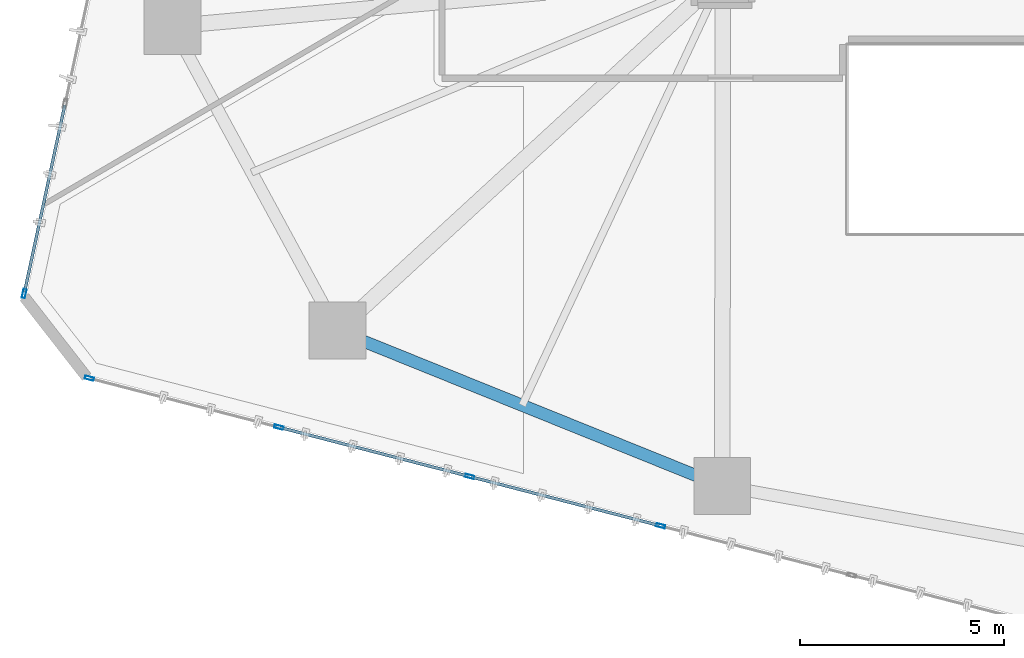
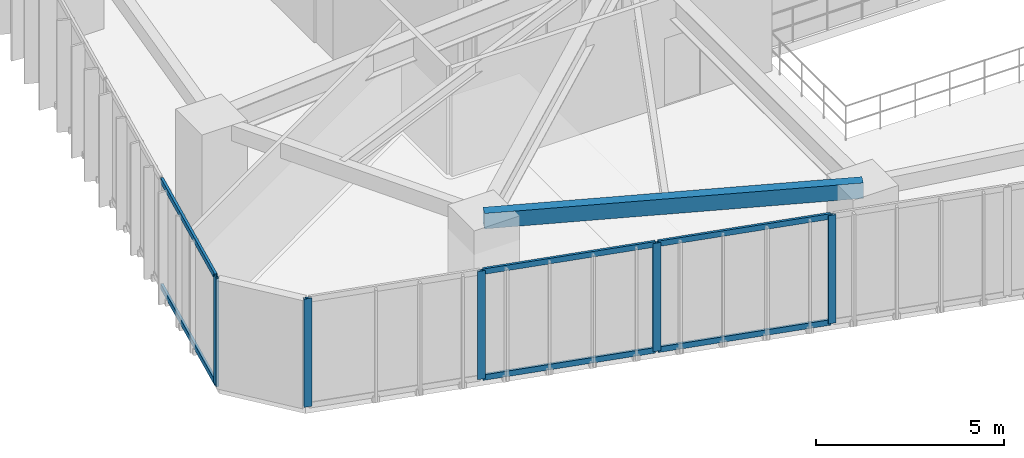
# One storey, part 2 of 23: 11 members, 1 beam, 2 elements without a shape of their own.
"""IFC4 building model written with IfcOpenShell, lengths in metres."""

from ifc_helpers import new_model, si_unit, direction, frame, origin, origin_2d, place, context, subcontext, project, spatial, hollow_rectangle, extrude, source, transform, mapped, material, layer, layer_set, material_profile, profile_set, type_object, type_shapes, element, aggregate, save


model = new_model("IFC4")

# Units and contexts
model_context = context("Model", 3, precision=1e-05, world=origin(), true_north=direction((0.0, 1.0)))
body_context = subcontext(model_context, "Body", "Model", "MODEL_VIEW")
ifc_project = project(units=[si_unit("LENGTHUNIT", "METRE"), si_unit("AREAUNIT", "SQUARE_METRE"), si_unit("VOLUMEUNIT", "CUBIC_METRE"), si_unit("PLANEANGLEUNIT", "RADIAN"), si_unit("MASSUNIT", "GRAM", prefix="KILO")], contexts=[model_context])

# Site, building, storey
site_placement = place(None, origin())
site = spatial("IfcSite", under=ifc_project, at=site_placement, CompositionType="ELEMENT")
building_placement = place(site_placement, origin())
building = spatial("IfcBuilding", under=site, at=building_placement, Name="Talar Marvaseh", CompositionType="ELEMENT")
storey_placement = place(building_placement, frame((0.0, 0.0, 46.800048828125)))
storey = spatial("IfcBuildingStorey", under=building, at=storey_placement, Name="L11", CompositionType="ELEMENT", Elevation=46.800048828125)

# Beam
ifc_material_1 = material(Name="Steel S355", Category="steel")
ifc_material_profile_1 = material_profile(ifc_material_1, hollow_rectangle(XDim=0.300048828125, YDim=0.5, WallThickness=0.02001953125, at=origin_2d()), Name="RHS500x300x20")
ifc_profile_set_1 = profile_set([ifc_material_profile_1], Name="Steel S355")
beam_type = type_object("IfcBeamType", Name="Zone 1 Perimeter Spandrel Beam RHS500x300x20", PredefinedType="SPANDREL", material=ifc_profile_set_1)
beam_placement = place(storey_placement, frame((18.68310546875, 12.97900390625, 3.27001953125), z_axis=(-0.927239278118, 0.374469386084, 0.0), x_axis=(-0.374469386084, -0.927239278118, 0.0)))
element("IfcBeam", 1, at=beam_placement, inside=storey, type_object=beam_type, Name="L11 Zone 1 Perimeter Spandrel Beam RHS500x300x20", PredefinedType="SPANDREL", context=body_context, shape_type="SweptSolid", body=[
    extrude(hollow_rectangle(XDim=0.300048828125, YDim=0.5, WallThickness=0.02001953125, at=origin_2d()), origin(), (0.0, 0.0, 1.0), 10.19287109375),
])

# Curtain wall, member
ifc_material_2 = material(Name="Architectural Aluminium", Category="aluminium")
ifc_layer = layer(ifc_material_2, 0.219970703125)
ifc_layer_set = layer_set([ifc_layer], Name="Architectural Aluminium")
curtain_wall_type = type_object("IfcCurtainWallType", Name="Unitised Low-E Museum Curtain Wall Z1", PredefinedType="NOTDEFINED", material=ifc_layer_set)
curtain_wall_1_placement = place(storey_placement, origin())
curtain_wall_1 = element("IfcCurtainWall", 2, at=curtain_wall_1_placement, inside=storey, type_object=curtain_wall_type, Name="L11 Unitised Low-E Museum Curtain Wall Z1", PredefinedType="NOTDEFINED")
ifc_material_profile_2 = material_profile(ifc_material_2, hollow_rectangle(XDim=0.080078125, YDim=0.219970703125, WallThickness=0.0048828125, at=origin_2d()), Name="RHS220x80x5")
ifc_profile_set_2 = profile_set([ifc_material_profile_2], Name="Architectural Aluminium")
member_type_1 = type_object("IfcMemberType", Name="Unitised Curtain Wall Heavy Mullion RHS220x80x5", PredefinedType="MULLION", material=ifc_profile_set_2)
shared_shape_1 = source(origin(), body_context, "Body", "SweptSolid", [
    extrude(hollow_rectangle(XDim=0.080078125, YDim=0.219970703125, WallThickness=0.0048828125, at=origin_2d()), origin(), (0.0, 0.0, 1.0), 3.52001953125),
])
type_shapes(member_type_1, [shared_shape_1])
member_1_placement = place(storey_placement, frame((1.53564453125, 17.708740234375, 0.0), z_axis=(0.0, 0.0, 1.0), x_axis=(-0.977585873645, 0.210537074287, 0.0)))
member_1 = element("IfcMember", 3, at=member_1_placement, type_object=member_type_1, Name="CW-Z1 mullion 1", PredefinedType="MULLION", context=body_context, shape_type="MappedRepresentation", body=[
    mapped(shared_shape_1, transform((0.0, 0.0, 0.0), x_axis=(1.0, 0.0, 0.0), y_axis=(0.0, 1.0, 0.0), z_axis=(0.0, 0.0, 1.0), scale=1.0)),
])

# Curtain wall, members
curtain_wall_2_placement = place(storey_placement, origin())
curtain_wall_2 = element("IfcCurtainWall", 4, at=curtain_wall_2_placement, inside=storey, type_object=curtain_wall_type, Name="L11 Unitised Low-E Museum Curtain Wall Z1", PredefinedType="NOTDEFINED")
member_2_placement = place(storey_placement, frame((17.17138671875, 12.002197265625, 0.0), z_axis=(0.0, 0.0, 1.0), x_axis=(-0.250227795826, -0.968186991338, 0.0)))
member_2 = element("IfcMember", 5, at=member_2_placement, type_object=member_type_1, Name="CW-Z1 mullion 3", PredefinedType="MULLION", context=body_context, shape_type="MappedRepresentation", body=[
    mapped(shared_shape_1, transform((0.0, 0.0, 0.0), x_axis=(1.0, 0.0, 0.0), y_axis=(0.0, 1.0, 0.0), z_axis=(0.0, 0.0, 1.0), scale=1.0)),
])
member_3_placement = place(storey_placement, frame((12.47998046875, 13.214599609375, 0.0), z_axis=(0.0, 0.0, 1.0), x_axis=(-0.250227795826, -0.968186991338, 0.0)))
member_3 = element("IfcMember", 6, at=member_3_placement, type_object=member_type_1, Name="CW-Z1 mullion 4", PredefinedType="MULLION", context=body_context, shape_type="MappedRepresentation", body=[
    mapped(shared_shape_1, transform((0.0, 0.0, 0.0), x_axis=(1.0, 0.0, 0.0), y_axis=(0.0, 1.0, 0.0), z_axis=(0.0, 0.0, 1.0), scale=1.0)),
])
member_4_placement = place(storey_placement, frame((7.788818359375, 14.427001953125, 0.0), z_axis=(0.0, 0.0, 1.0), x_axis=(-0.250227795826, -0.968186991338, 0.0)))
member_4 = element("IfcMember", 7, at=member_4_placement, type_object=member_type_1, Name="CW-Z1 mullion 5", PredefinedType="MULLION", context=body_context, shape_type="MappedRepresentation", body=[
    mapped(shared_shape_1, transform((0.0, 0.0, 0.0), x_axis=(1.0, 0.0, 0.0), y_axis=(0.0, 1.0, 0.0), z_axis=(0.0, 0.0, 1.0), scale=1.0)),
])
member_5_placement = place(storey_placement, frame((3.136474609375, 15.62939453125, 0.0), z_axis=(0.0, 0.0, 1.0), x_axis=(-0.250227795826, -0.968186991338, 0.0)))
member_5 = element("IfcMember", 8, at=member_5_placement, type_object=member_type_1, Name="CW-Z1 mullion 6", PredefinedType="MULLION", context=body_context, shape_type="MappedRepresentation", body=[
    mapped(shared_shape_1, transform((0.0, 0.0, 0.0), x_axis=(1.0, 0.0, 0.0), y_axis=(0.0, 1.0, 0.0), z_axis=(0.0, 0.0, 1.0), scale=1.0)),
])

# Member
ifc_material_profile_3 = material_profile(ifc_material_2, hollow_rectangle(XDim=0.074951171875, YDim=0.179931640625, WallThickness=0.0048828125, at=origin_2d()), Name="RHS180x75x5")
ifc_profile_set_3 = profile_set([ifc_material_profile_3], Name="Architectural Aluminium")
member_type_2 = type_object("IfcMemberType", Name="Unitised Curtain Wall Transom RHS180x75x5", PredefinedType="USERDEFINED", material=ifc_profile_set_3)
shared_shape_2 = source(origin(), body_context, "Body", "SweptSolid", [
    extrude(hollow_rectangle(XDim=0.074951171875, YDim=0.179931640625, WallThickness=0.0048828125, at=origin_2d()), origin(), (0.0, 0.0, 1.0), 4.69677734375),
])
member_6_placement = place(storey_placement, frame((1.5439453125, 17.747802734375, 0.037353515625), z_axis=(0.210569067869, 0.977578982823, 0.0), x_axis=(-0.977578982823, 0.210569067869, 0.0)))
member_6 = element("IfcMember", 9, at=member_6_placement, type_object=member_type_2, Name="CW-Z1 transom 1.1", ObjectType="TRANSOM", PredefinedType="USERDEFINED", context=body_context, shape_type="MappedRepresentation", body=[
    mapped(shared_shape_2, transform((0.0, 0.0, 0.0), x_axis=(1.0, 0.0, 0.0), y_axis=(0.0, 1.0, 0.0), z_axis=(0.0, 0.0, 1.0), scale=1.0)),
])

member_7_placement = place(storey_placement, frame((1.5439453125, 17.747802734375, 3.482421875), z_axis=(0.210569067869, 0.977578982823, 0.0), x_axis=(-0.977578982823, 0.210569067869, 0.0)))
member_7 = element("IfcMember", 10, at=member_7_placement, type_object=member_type_2, Name="CW-Z1 transom 1.2", ObjectType="TRANSOM", PredefinedType="USERDEFINED", context=body_context, shape_type="MappedRepresentation", body=[
    mapped(shared_shape_2, transform((0.0, 0.0, 0.0), x_axis=(1.0, 0.0, 0.0), y_axis=(0.0, 1.0, 0.0), z_axis=(0.0, 0.0, 1.0), scale=1.0)),
])

aggregate(curtain_wall_1, [member_1, member_6, member_7])

shared_shape_3 = source(origin(), body_context, "Body", "SweptSolid", [
    extrude(hollow_rectangle(XDim=0.074951171875, YDim=0.179931640625, WallThickness=0.0048828125, at=origin_2d()), origin(), (0.0, 0.0, 1.0), 4.765380859375),
])
type_shapes(member_type_2, [shared_shape_2, shared_shape_3])
member_8_placement = place(storey_placement, frame((17.132568359375, 12.01220703125, 0.037353515625), z_axis=(-0.96818929398, 0.250218886221, 0.0), x_axis=(-0.250218886221, -0.96818929398, 0.0)))
member_8 = element("IfcMember", 11, at=member_8_placement, type_object=member_type_2, Name="CW-Z1 transom 3.1", ObjectType="TRANSOM", PredefinedType="USERDEFINED", context=body_context, shape_type="MappedRepresentation", body=[
    mapped(shared_shape_3, transform((0.0, 0.0, 0.0), x_axis=(1.0, 0.0, 0.0), y_axis=(0.0, 1.0, 0.0), z_axis=(0.0, 0.0, 1.0), scale=1.0)),
])

member_9_placement = place(storey_placement, frame((17.132568359375, 12.01220703125, 3.482421875), z_axis=(-0.96818929398, 0.250218886221, 0.0), x_axis=(-0.250218886221, -0.96818929398, 0.0)))
member_9 = element("IfcMember", 12, at=member_9_placement, type_object=member_type_2, Name="CW-Z1 transom 3.2", ObjectType="TRANSOM", PredefinedType="USERDEFINED", context=body_context, shape_type="MappedRepresentation", body=[
    mapped(shared_shape_3, transform((0.0, 0.0, 0.0), x_axis=(1.0, 0.0, 0.0), y_axis=(0.0, 1.0, 0.0), z_axis=(0.0, 0.0, 1.0), scale=1.0)),
])

member_10_placement = place(storey_placement, frame((12.44140625, 13.224609375, 0.037353515625), z_axis=(-0.96818929398, 0.250218886221, 0.0), x_axis=(-0.250218886221, -0.96818929398, 0.0)))
member_10 = element("IfcMember", 13, at=member_10_placement, type_object=member_type_2, Name="CW-Z1 transom 4.1", ObjectType="TRANSOM", PredefinedType="USERDEFINED", context=body_context, shape_type="MappedRepresentation", body=[
    mapped(shared_shape_3, transform((0.0, 0.0, 0.0), x_axis=(1.0, 0.0, 0.0), y_axis=(0.0, 1.0, 0.0), z_axis=(0.0, 0.0, 1.0), scale=1.0)),
])

member_11_placement = place(storey_placement, frame((12.44140625, 13.224609375, 3.482421875), z_axis=(-0.96818929398, 0.250218886221, 0.0), x_axis=(-0.250218886221, -0.96818929398, 0.0)))
member_11 = element("IfcMember", 14, at=member_11_placement, type_object=member_type_2, Name="CW-Z1 transom 4.2", ObjectType="TRANSOM", PredefinedType="USERDEFINED", context=body_context, shape_type="MappedRepresentation", body=[
    mapped(shared_shape_3, transform((0.0, 0.0, 0.0), x_axis=(1.0, 0.0, 0.0), y_axis=(0.0, 1.0, 0.0), z_axis=(0.0, 0.0, 1.0), scale=1.0)),
])

aggregate(curtain_wall_2, [member_2, member_3, member_4, member_5, member_8, member_9, member_10, member_11])

save(model, "model.ifc")
